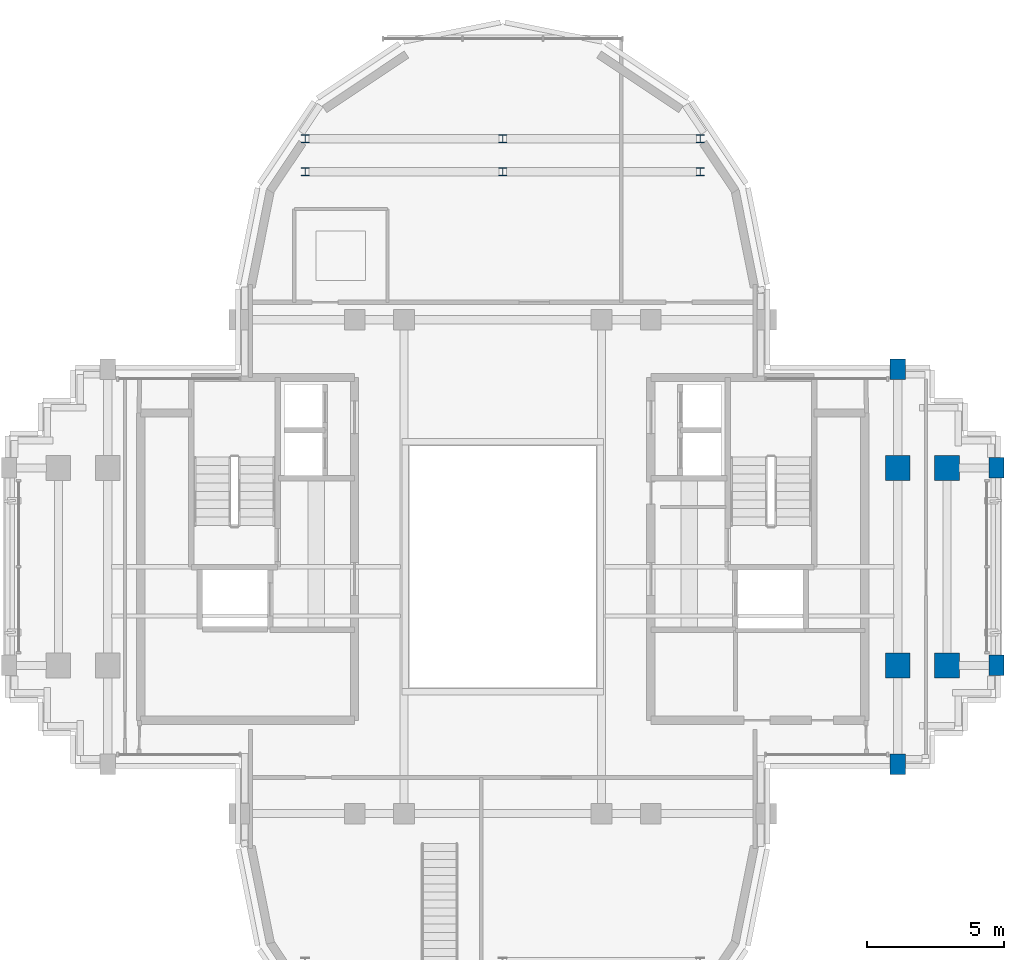
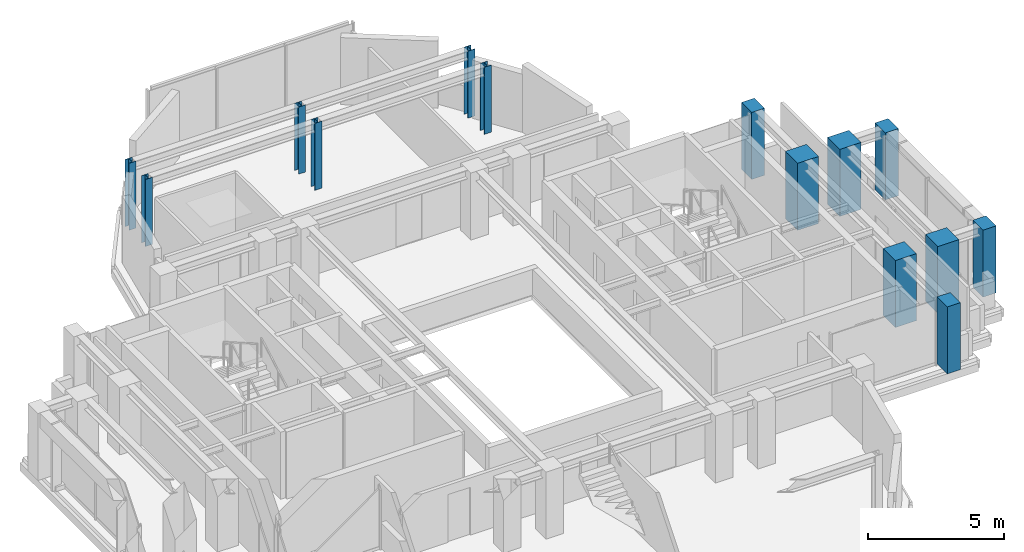
# One storey, part 2 of 12: 14 columns.
"""IFC4 building model written with IfcOpenShell, lengths in metres."""

from ifc_helpers import new_model, si_unit, direction, frame, origin, origin_2d, place, context, subcontext, project, spatial, rectangle, i_section, extrude, source, transform, mapped, material, material_profile, profile_set, type_object, element, save


model = new_model("IFC4")

# Units and contexts
model_context = context("Model", 3, precision=1e-05, world=origin(), true_north=direction((0.0, 1.0)))
body_context = subcontext(model_context, "Body", "Model", "MODEL_VIEW")
ifc_project = project(units=[si_unit("LENGTHUNIT", "METRE"), si_unit("AREAUNIT", "SQUARE_METRE"), si_unit("VOLUMEUNIT", "CUBIC_METRE"), si_unit("PLANEANGLEUNIT", "RADIAN"), si_unit("MASSUNIT", "GRAM", prefix="KILO")], contexts=[model_context])

# Site, building, storey
site_placement = place(None, origin())
site = spatial("IfcSite", under=ifc_project, at=site_placement, CompositionType="ELEMENT")
building_placement = place(site_placement, origin())
building = spatial("IfcBuilding", under=site, at=building_placement, Name="Keilestroom Media Tower", CompositionType="ELEMENT")
storey_placement = place(building_placement, frame((0.0, 0.0, 239.60009765625)))
storey = spatial("IfcBuildingStorey", under=building, at=storey_placement, Name="L66", CompositionType="ELEMENT", Elevation=239.60009765625)

# Columns
ifc_material_1 = material(Name="Precast concrete C40/50", Category="concrete")
ifc_material_profile_1 = material_profile(ifc_material_1, rectangle(XDim=0.550048828125, YDim=0.75, at=origin_2d()), Name="PC 750x550")
ifc_profile_set_1 = profile_set([ifc_material_profile_1], Name="Precast concrete C40/50")
column_type_1 = type_object("IfcColumnType", Name="Structural-Column-PC-750x550", PredefinedType="COLUMN", material=ifc_profile_set_1)
shared_shape_1 = source(origin(), body_context, "Body", "SweptSolid", [
    extrude(rectangle(XDim=0.550048828125, YDim=0.75, at=origin_2d()), origin(), (0.0, 0.0, 1.0), 3.010009765625),
])
for number, where, z_axis, x_axis, name in (
    (1, (14.39990234375, -7.199951171875, 0.0), (0.0, 0.0, 1.0), (1.0, 0.0, 0.0), "L66 Column PC-3 (+14.4,-7.2)"),
    (2, (14.39990234375, 7.199951171875, 0.0), (0.0, 0.0, 1.0), (1.0, 0.0, 0.0), "L66 Column PC-3 (+14.4,+7.2)"),
    (3, (18.0, -3.60009765625, 0.0), (0.0, 0.0, 1.0), (1.0, 0.0, 0.0), "L66 Column PC-3 (+18.0,-3.6)"),
    (4, (18.0, 3.60009765625, 0.0), (0.0, 0.0, 1.0), (1.0, 0.0, 0.0), "L66 Column PC-3 (+18.0,+3.6)"),
):
    element("IfcColumn", number, at=place(storey_placement, frame(where, z_axis=z_axis, x_axis=x_axis)), inside=storey, type_object=column_type_1, Name=name, PredefinedType="COLUMN", context=body_context, shape_type="MappedRepresentation", body=[
        mapped(shared_shape_1, transform((0.0, 0.0, 0.0), x_axis=(1.0, 0.0, 0.0), y_axis=(0.0, 1.0, 0.0), z_axis=(0.0, 0.0, 1.0), scale=1.0)),
    ])
ifc_material_2 = material(Name="Concrete C55/67", Category="concrete")
ifc_material_profile_2 = material_profile(ifc_material_2, rectangle(XDim=0.89990234375, YDim=0.89990234375, at=origin_2d()), Name="RC 900x900")
ifc_profile_set_2 = profile_set([ifc_material_profile_2], Name="Concrete C55/67")
column_type_2 = type_object("IfcColumnType", Name="Structural-Column-RC-900x900", PredefinedType="COLUMN", material=ifc_profile_set_2)
shared_shape_2 = source(origin(), body_context, "Body", "SweptSolid", [
    extrude(rectangle(XDim=0.89990234375, YDim=0.89990234375, at=origin_2d()), origin(), (0.0, 0.0, 1.0), 3.010009765625),
])
for number, where, z_axis, x_axis, name in (
    (5, (14.39990234375, -3.60009765625, 0.0), (0.0, 0.0, 1.0), (1.0, 0.0, 0.0), "L66 Column MC-4 (+14.4,-3.6)"),
    (6, (14.39990234375, 3.60009765625, 0.0), (0.0, 0.0, 1.0), (1.0, 0.0, 0.0), "L66 Column MC-4 (+14.4,+3.6)"),
    (7, (16.199951171875, -3.60009765625, 0.0), (0.0, 0.0, 1.0), (1.0, 0.0, 0.0), "L66 Column MC-4 (+16.2,-3.6)"),
    (8, (16.199951171875, 3.60009765625, 0.0), (0.0, 0.0, 1.0), (1.0, 0.0, 0.0), "L66 Column MC-4 (+16.2,+3.6)"),
):
    element("IfcColumn", number, at=place(storey_placement, frame(where, z_axis=z_axis, x_axis=x_axis)), inside=storey, type_object=column_type_2, Name=name, PredefinedType="COLUMN", context=body_context, shape_type="MappedRepresentation", body=[
        mapped(shared_shape_2, transform((0.0, 0.0, 0.0), x_axis=(1.0, 0.0, 0.0), y_axis=(0.0, 1.0, 0.0), z_axis=(0.0, 0.0, 1.0), scale=1.0)),
    ])
ifc_material_3 = material(Name="Steel S355", Category="steel")
ifc_material_profile_3 = material_profile(ifc_material_3, i_section(OverallWidth=0.300048828125, OverallDepth=0.300048828125, WebThickness=0.010986328125, FlangeThickness=0.01904296875, at=origin_2d()), Name="HEB 300")
ifc_profile_set_3 = profile_set([ifc_material_profile_3], Name="Steel S355")
column_type_3 = type_object("IfcColumnType", Name="Structural-Column-HEB-300", PredefinedType="COLUMN", material=ifc_profile_set_3)
shared_shape_3 = source(origin(), body_context, "Body", "SweptSolid", [
    extrude(i_section(OverallWidth=0.300048828125, OverallDepth=0.300048828125, WebThickness=0.010986328125, FlangeThickness=0.01904296875, at=origin_2d()), origin(), (0.0, 0.0, 1.0), 3.010009765625),
])
for number, where, z_axis, x_axis, name in (
    (9, (-7.199951171875, 14.39990234375, 0.0), (0.0, 0.0, 1.0), (1.0, 0.0, 0.0), "L66 Column SC-5 (-7.2,+14.4)"),
    (10, (-7.199951171875, 15.60009765625, 0.0), (0.0, 0.0, 1.0), (1.0, 0.0, 0.0), "L66 Column SC-5 (-7.2,+15.6)"),
    (11, (0.0, 14.39990234375, 0.0), (0.0, 0.0, 1.0), (1.0, 0.0, 0.0), "L66 Column SC-5 (+0.0,+14.4)"),
    (12, (0.0, 15.60009765625, 0.0), (0.0, 0.0, 1.0), (1.0, 0.0, 0.0), "L66 Column SC-5 (+0.0,+15.6)"),
    (13, (7.199951171875, 14.39990234375, 0.0), (0.0, 0.0, 1.0), (1.0, 0.0, 0.0), "L66 Column SC-5 (+7.2,+14.4)"),
    (14, (7.199951171875, 15.60009765625, 0.0), (0.0, 0.0, 1.0), (1.0, 0.0, 0.0), "L66 Column SC-5 (+7.2,+15.6)"),
):
    element("IfcColumn", number, at=place(storey_placement, frame(where, z_axis=z_axis, x_axis=x_axis)), inside=storey, type_object=column_type_3, Name=name, PredefinedType="COLUMN", context=body_context, shape_type="MappedRepresentation", body=[
        mapped(shared_shape_3, transform((0.0, 0.0, 0.0), x_axis=(1.0, 0.0, 0.0), y_axis=(0.0, 1.0, 0.0), z_axis=(0.0, 0.0, 1.0), scale=1.0)),
    ])

save(model, "model.ifc")
